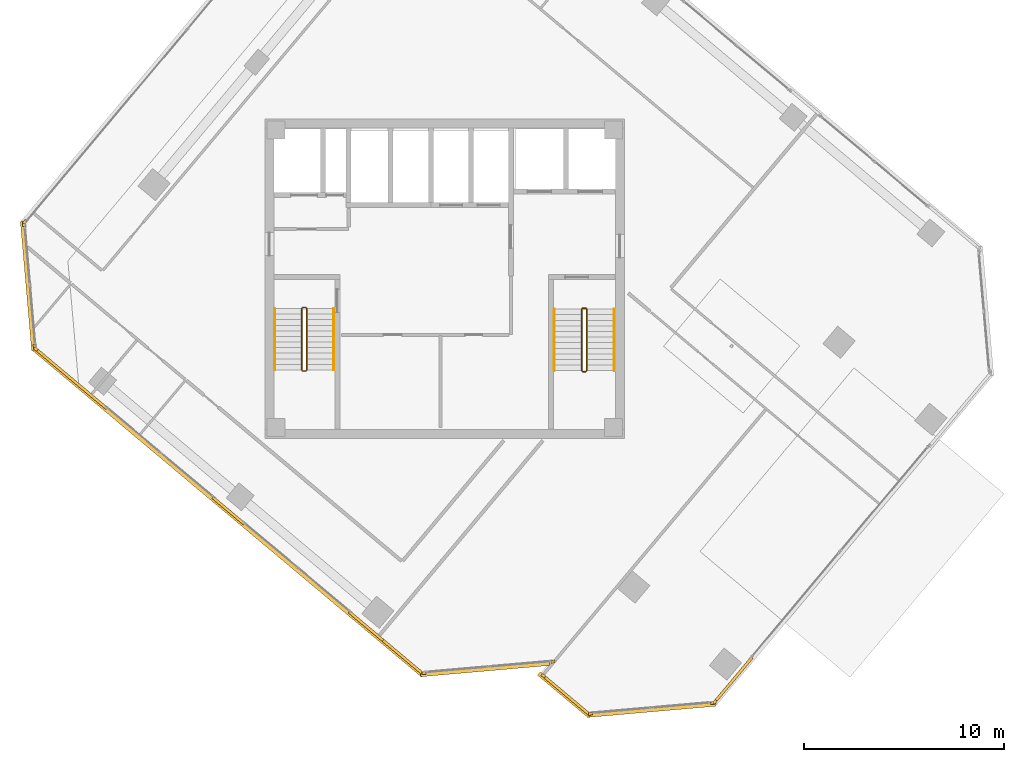
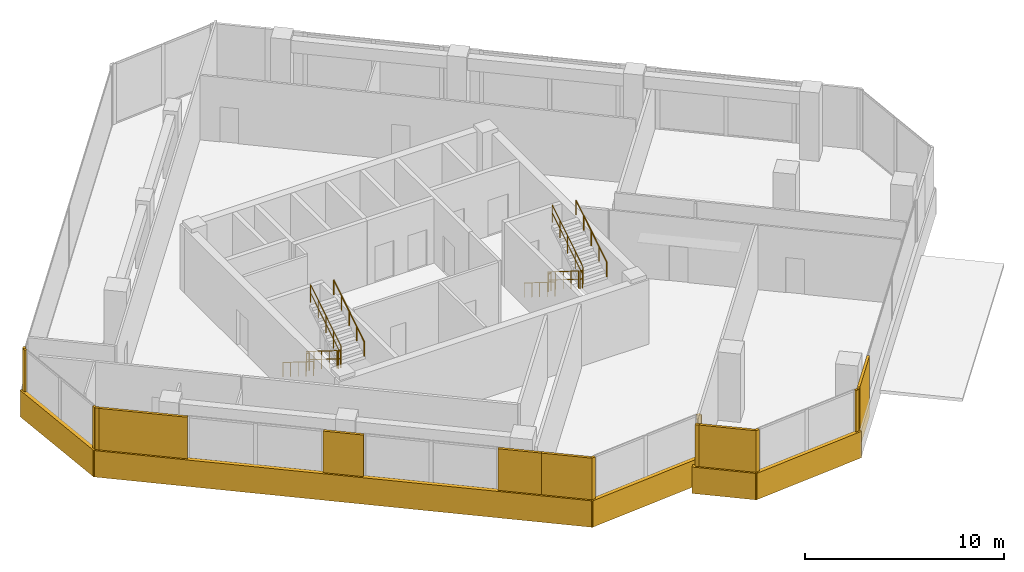
# One storey, part 15 of 17: 21 coverings, 12 railings.
"""IFC4 building model written with IfcOpenShell, lengths in metres."""

from ifc_helpers import new_model, si_unit, direction, frame, origin, origin_2d, place, context, subcontext, project, spatial, rectangle, circle, extrude, source, transform, mapped, material, layer, layer_set, type_object, element, save


model = new_model("IFC4")

# Units and contexts
model_context = context("Model", 3, precision=1e-05, world=origin(), true_north=direction((0.0, 1.0)))
body_context = subcontext(model_context, "Body", "Model", "MODEL_VIEW")
ifc_project = project(units=[si_unit("LENGTHUNIT", "METRE"), si_unit("AREAUNIT", "SQUARE_METRE"), si_unit("VOLUMEUNIT", "CUBIC_METRE"), si_unit("PLANEANGLEUNIT", "RADIAN"), si_unit("MASSUNIT", "GRAM", prefix="KILO")], contexts=[model_context])

# Site, building, storey
site_placement = place(None, origin())
site = spatial("IfcSite", under=ifc_project, at=site_placement, CompositionType="ELEMENT")
building_placement = place(site_placement, origin())
building = spatial("IfcBuilding", under=site, at=building_placement, Name="Torre Montelarca", CompositionType="ELEMENT")
storey_placement = place(building_placement, frame((0.0, 0.0, 220.60009765625)))
storey = spatial("IfcBuildingStorey", under=building, at=storey_placement, Name="L49", CompositionType="ELEMENT", Elevation=220.60009765625)

# Railings
ifc_material_1 = material(Name="Powder-coated steel ASTM A500 Grade C", Category="steel")
railing_type_1 = type_object("IfcRailingType", Name="RL-GUARD-1100", PredefinedType="BALUSTRADE", material=ifc_material_1)
railing_1_placement = place(storey_placement, frame((10.85009765625, 30.5, 0.1748046875)))
element("IfcRailing", 1, at=railing_1_placement, inside=storey, type_object=railing_type_1, Name="L49 ST1 stair guard 1", PredefinedType="BALUSTRADE", context=body_context, shape_type="SweptSolid", body=[
    extrude(circle(Radius=0.02392578125, at=origin_2d()), frame((0.0, 0.0, 1.076171875), z_axis=(0.0, -0.847998304005, 0.529998940003), x_axis=(1.0, 0.0, 0.0)), (0.0, 0.0, 1.0), 3.632080078125),
    extrude(circle(Radius=0.02099609375, at=origin_2d()), frame((0.0, 0.0, 0.572021484375), z_axis=(0.0, -0.847998304005, 0.529998940003), x_axis=(1.0, 0.0, 0.0)), (0.0, 0.0, 1.0), 3.632080078125),
    extrude(circle(Radius=0.02099609375, at=origin_2d()), origin(), (0.0, 0.0, 1.0), 1.052001953125),
    extrude(circle(Radius=0.02099609375, at=origin_2d()), frame((0.0, -0.77001953125, 0.481201171875)), (0.0, 0.0, 1.0), 1.052001953125),
    extrude(circle(Radius=0.02099609375, at=origin_2d()), frame((0.0, -1.5400390625, 0.96240234375)), (0.0, 0.0, 1.0), 1.052001953125),
    extrude(circle(Radius=0.02099609375, at=origin_2d()), frame((0.0, -2.31005859375, 1.44384765625)), (0.0, 0.0, 1.0), 1.052001953125),
    extrude(circle(Radius=0.02099609375, at=origin_2d()), frame((0.0, -3.080078125, 1.925048828125)), (0.0, 0.0, 1.0), 1.052001953125),
])
railing_2_placement = place(storey_placement, frame((10.89990234375, 27.3701171875, 2.099853515625)))
element("IfcRailing", 2, at=railing_2_placement, inside=storey, type_object=railing_type_1, Name="L49 ST1 stair guard 2", PredefinedType="BALUSTRADE", context=body_context, shape_type="SweptSolid", body=[
    extrude(circle(Radius=0.02392578125, at=origin_2d()), frame((0.0, 0.0, 1.076171875), z_axis=(1.0, 0.0, 0.0), x_axis=(0.0, 1.0, 0.0)), (0.0, 0.0, 1.0), 0.150146484375),
    extrude(circle(Radius=0.02099609375, at=origin_2d()), frame((0.0, 0.0, 0.572021484375), z_axis=(1.0, 0.0, 0.0), x_axis=(0.0, 1.0, 0.0)), (0.0, 0.0, 1.0), 0.150146484375),
    extrude(circle(Radius=0.02099609375, at=origin_2d()), origin(), (0.0, 0.0, 1.0), 1.052001953125),
    extrude(circle(Radius=0.02099609375, at=origin_2d()), frame((0.150146484375, 0.0, 0.0)), (0.0, 0.0, 1.0), 1.052001953125),
])
railing_3_placement = place(storey_placement, frame((11.10009765625, 27.419921875, 2.27490234375)))
element("IfcRailing", 3, at=railing_3_placement, inside=storey, type_object=railing_type_1, Name="L49 ST1 stair guard 3", PredefinedType="BALUSTRADE", context=body_context, shape_type="SweptSolid", body=[
    extrude(circle(Radius=0.02392578125, at=origin_2d()), frame((0.0, 0.0, 1.076171875), z_axis=(0.0, 0.847998304005, 0.529998940003), x_axis=(-1.0, 0.0, 0.0)), (0.0, 0.0, 1.0), 3.632080078125),
    extrude(circle(Radius=0.02099609375, at=origin_2d()), frame((0.0, 0.0, 0.572021484375), z_axis=(0.0, 0.847998304005, 0.529998940003), x_axis=(-1.0, 0.0, 0.0)), (0.0, 0.0, 1.0), 3.632080078125),
    extrude(circle(Radius=0.02099609375, at=origin_2d()), origin(), (0.0, 0.0, 1.0), 1.052001953125),
    extrude(circle(Radius=0.02099609375, at=origin_2d()), frame((0.0, 0.77001953125, 0.481201171875)), (0.0, 0.0, 1.0), 1.052001953125),
    extrude(circle(Radius=0.02099609375, at=origin_2d()), frame((0.0, 1.5400390625, 0.96240234375)), (0.0, 0.0, 1.0), 1.052001953125),
    extrude(circle(Radius=0.02099609375, at=origin_2d()), frame((0.0, 2.31005859375, 1.44384765625)), (0.0, 0.0, 1.0), 1.052001953125),
    extrude(circle(Radius=0.02099609375, at=origin_2d()), frame((0.0, 3.080078125, 1.925048828125)), (0.0, 0.0, 1.0), 1.052001953125),
])
railing_4_placement = place(storey_placement, frame((10.89990234375, 30.550048828125, 0.0)))
element("IfcRailing", 4, at=railing_4_placement, inside=storey, type_object=railing_type_1, Name="L49 ST1 stair guard 4", PredefinedType="BALUSTRADE", context=body_context, shape_type="SweptSolid", body=[
    extrude(circle(Radius=0.02392578125, at=origin_2d()), frame((0.0, 0.0, 1.076171875), z_axis=(1.0, 0.0, 0.0), x_axis=(0.0, 1.0, 0.0)), (0.0, 0.0, 1.0), 0.150146484375),
    extrude(circle(Radius=0.02099609375, at=origin_2d()), frame((0.0, 0.0, 0.572021484375), z_axis=(1.0, 0.0, 0.0), x_axis=(0.0, 1.0, 0.0)), (0.0, 0.0, 1.0), 0.150146484375),
    extrude(circle(Radius=0.02099609375, at=origin_2d()), origin(), (0.0, 0.0, 1.0), 1.052001953125),
    extrude(circle(Radius=0.02099609375, at=origin_2d()), frame((0.150146484375, 0.0, 0.0)), (0.0, 0.0, 1.0), 1.052001953125),
])
railing_5_placement = place(storey_placement, frame((24.8701171875, 30.469970703125, 0.1748046875)))
element("IfcRailing", 5, at=railing_5_placement, inside=storey, type_object=railing_type_1, Name="L49 ST2 stair guard 1", PredefinedType="BALUSTRADE", context=body_context, shape_type="SweptSolid", body=[
    extrude(circle(Radius=0.02392578125, at=origin_2d()), frame((0.0, 0.0, 1.076171875), z_axis=(0.0, -0.847998304005, 0.529998940003), x_axis=(1.0, 0.0, 0.0)), (0.0, 0.0, 1.0), 3.632080078125),
    extrude(circle(Radius=0.02099609375, at=origin_2d()), frame((0.0, 0.0, 0.572021484375), z_axis=(0.0, -0.847998304005, 0.529998940003), x_axis=(1.0, 0.0, 0.0)), (0.0, 0.0, 1.0), 3.632080078125),
    extrude(circle(Radius=0.02099609375, at=origin_2d()), origin(), (0.0, 0.0, 1.0), 1.052001953125),
    extrude(circle(Radius=0.02099609375, at=origin_2d()), frame((0.0, -0.77001953125, 0.481201171875)), (0.0, 0.0, 1.0), 1.052001953125),
    extrude(circle(Radius=0.02099609375, at=origin_2d()), frame((0.0, -1.5400390625, 0.96240234375)), (0.0, 0.0, 1.0), 1.052001953125),
    extrude(circle(Radius=0.02099609375, at=origin_2d()), frame((0.0, -2.31005859375, 1.44384765625)), (0.0, 0.0, 1.0), 1.052001953125),
    extrude(circle(Radius=0.02099609375, at=origin_2d()), frame((0.0, -3.080078125, 1.925048828125)), (0.0, 0.0, 1.0), 1.052001953125),
])
railing_6_placement = place(storey_placement, frame((24.919921875, 27.340087890625, 2.099853515625)))
element("IfcRailing", 6, at=railing_6_placement, inside=storey, type_object=railing_type_1, Name="L49 ST2 stair guard 2", PredefinedType="BALUSTRADE", context=body_context, shape_type="SweptSolid", body=[
    extrude(circle(Radius=0.02392578125, at=origin_2d()), frame((0.0, 0.0, 1.076171875), z_axis=(1.0, 0.0, 0.0), x_axis=(0.0, 1.0, 0.0)), (0.0, 0.0, 1.0), 0.150146484375),
    extrude(circle(Radius=0.02099609375, at=origin_2d()), frame((0.0, 0.0, 0.572021484375), z_axis=(1.0, 0.0, 0.0), x_axis=(0.0, 1.0, 0.0)), (0.0, 0.0, 1.0), 0.150146484375),
    extrude(circle(Radius=0.02099609375, at=origin_2d()), origin(), (0.0, 0.0, 1.0), 1.052001953125),
    extrude(circle(Radius=0.02099609375, at=origin_2d()), frame((0.150146484375, 0.0, 0.0)), (0.0, 0.0, 1.0), 1.052001953125),
])
railing_7_placement = place(storey_placement, frame((25.1201171875, 27.389892578125, 2.27490234375)))
element("IfcRailing", 7, at=railing_7_placement, inside=storey, type_object=railing_type_1, Name="L49 ST2 stair guard 3", PredefinedType="BALUSTRADE", context=body_context, shape_type="SweptSolid", body=[
    extrude(circle(Radius=0.02392578125, at=origin_2d()), frame((0.0, 0.0, 1.076171875), z_axis=(0.0, 0.847998304005, 0.529998940003), x_axis=(-1.0, 0.0, 0.0)), (0.0, 0.0, 1.0), 3.632080078125),
    extrude(circle(Radius=0.02099609375, at=origin_2d()), frame((0.0, 0.0, 0.572021484375), z_axis=(0.0, 0.847998304005, 0.529998940003), x_axis=(-1.0, 0.0, 0.0)), (0.0, 0.0, 1.0), 3.632080078125),
    extrude(circle(Radius=0.02099609375, at=origin_2d()), origin(), (0.0, 0.0, 1.0), 1.052001953125),
    extrude(circle(Radius=0.02099609375, at=origin_2d()), frame((0.0, 0.77001953125, 0.481201171875)), (0.0, 0.0, 1.0), 1.052001953125),
    extrude(circle(Radius=0.02099609375, at=origin_2d()), frame((0.0, 1.5400390625, 0.96240234375)), (0.0, 0.0, 1.0), 1.052001953125),
    extrude(circle(Radius=0.02099609375, at=origin_2d()), frame((0.0, 2.31005859375, 1.44384765625)), (0.0, 0.0, 1.0), 1.052001953125),
    extrude(circle(Radius=0.02099609375, at=origin_2d()), frame((0.0, 3.080078125, 1.925048828125)), (0.0, 0.0, 1.0), 1.052001953125),
])
railing_8_placement = place(storey_placement, frame((24.919921875, 30.52001953125, 0.0)))
element("IfcRailing", 8, at=railing_8_placement, inside=storey, type_object=railing_type_1, Name="L49 ST2 stair guard 4", PredefinedType="BALUSTRADE", context=body_context, shape_type="SweptSolid", body=[
    extrude(circle(Radius=0.02392578125, at=origin_2d()), frame((0.0, 0.0, 1.076171875), z_axis=(1.0, 0.0, 0.0), x_axis=(0.0, 1.0, 0.0)), (0.0, 0.0, 1.0), 0.150146484375),
    extrude(circle(Radius=0.02099609375, at=origin_2d()), frame((0.0, 0.0, 0.572021484375), z_axis=(1.0, 0.0, 0.0), x_axis=(0.0, 1.0, 0.0)), (0.0, 0.0, 1.0), 0.150146484375),
    extrude(circle(Radius=0.02099609375, at=origin_2d()), origin(), (0.0, 0.0, 1.0), 1.052001953125),
    extrude(circle(Radius=0.02099609375, at=origin_2d()), frame((0.150146484375, 0.0, 0.0)), (0.0, 0.0, 1.0), 1.052001953125),
])
ifc_material_2 = material(Name="Brushed stainless steel AISI 316", Category="steel")
railing_type_2 = type_object("IfcRailingType", Name="RL-HANDRAIL-900", PredefinedType="HANDRAIL", material=ifc_material_2)
railing_9_placement = place(storey_placement, frame((9.5, 30.5, 0.1748046875)))
element("IfcRailing", 9, at=railing_9_placement, inside=storey, type_object=railing_type_2, Name="L49 ST1 stair handrail 1", PredefinedType="HANDRAIL", context=body_context, shape_type="SweptSolid", body=[
    extrude(circle(Radius=0.02392578125, at=origin_2d()), frame((0.0, 0.0, 0.8759765625), z_axis=(0.0, -0.847998304005, 0.529998940003), x_axis=(1.0, 0.0, 0.0)), (0.0, 0.0, 1.0), 3.632080078125),
    extrude(circle(Radius=0.02099609375, at=origin_2d()), origin(), (0.0, 0.0, 1.0), 0.851806640625),
    extrude(circle(Radius=0.02099609375, at=origin_2d()), frame((0.0, -0.77001953125, 0.481201171875)), (0.0, 0.0, 1.0), 0.851806640625),
    extrude(circle(Radius=0.02099609375, at=origin_2d()), frame((0.0, -1.5400390625, 0.96240234375)), (0.0, 0.0, 1.0), 0.851806640625),
    extrude(circle(Radius=0.02099609375, at=origin_2d()), frame((0.0, -2.31005859375, 1.44384765625)), (0.0, 0.0, 1.0), 0.851806640625),
    extrude(circle(Radius=0.02099609375, at=origin_2d()), frame((0.0, -3.080078125, 1.925048828125)), (0.0, 0.0, 1.0), 0.851806640625),
])
railing_10_placement = place(storey_placement, frame((12.449951171875, 27.419921875, 2.27490234375)))
element("IfcRailing", 10, at=railing_10_placement, inside=storey, type_object=railing_type_2, Name="L49 ST1 stair handrail 2", PredefinedType="HANDRAIL", context=body_context, shape_type="SweptSolid", body=[
    extrude(circle(Radius=0.02392578125, at=origin_2d()), frame((0.0, 0.0, 0.8759765625), z_axis=(0.0, 0.847998304005, 0.529998940003), x_axis=(-1.0, 0.0, 0.0)), (0.0, 0.0, 1.0), 3.632080078125),
    extrude(circle(Radius=0.02099609375, at=origin_2d()), origin(), (0.0, 0.0, 1.0), 0.851806640625),
    extrude(circle(Radius=0.02099609375, at=origin_2d()), frame((0.0, 0.77001953125, 0.481201171875)), (0.0, 0.0, 1.0), 0.851806640625),
    extrude(circle(Radius=0.02099609375, at=origin_2d()), frame((0.0, 1.5400390625, 0.96240234375)), (0.0, 0.0, 1.0), 0.851806640625),
    extrude(circle(Radius=0.02099609375, at=origin_2d()), frame((0.0, 2.31005859375, 1.44384765625)), (0.0, 0.0, 1.0), 0.851806640625),
    extrude(circle(Radius=0.02099609375, at=origin_2d()), frame((0.0, 3.080078125, 1.925048828125)), (0.0, 0.0, 1.0), 0.851806640625),
])
railing_11_placement = place(storey_placement, frame((23.489990234375, 30.469970703125, 0.1748046875)))
element("IfcRailing", 11, at=railing_11_placement, inside=storey, type_object=railing_type_2, Name="L49 ST2 stair handrail 1", PredefinedType="HANDRAIL", context=body_context, shape_type="SweptSolid", body=[
    extrude(circle(Radius=0.02392578125, at=origin_2d()), frame((0.0, 0.0, 0.8759765625), z_axis=(0.0, -0.847998304005, 0.529998940003), x_axis=(1.0, 0.0, 0.0)), (0.0, 0.0, 1.0), 3.632080078125),
    extrude(circle(Radius=0.02099609375, at=origin_2d()), origin(), (0.0, 0.0, 1.0), 0.851806640625),
    extrude(circle(Radius=0.02099609375, at=origin_2d()), frame((0.0, -0.77001953125, 0.481201171875)), (0.0, 0.0, 1.0), 0.851806640625),
    extrude(circle(Radius=0.02099609375, at=origin_2d()), frame((0.0, -1.5400390625, 0.96240234375)), (0.0, 0.0, 1.0), 0.851806640625),
    extrude(circle(Radius=0.02099609375, at=origin_2d()), frame((0.0, -2.31005859375, 1.44384765625)), (0.0, 0.0, 1.0), 0.851806640625),
    extrude(circle(Radius=0.02099609375, at=origin_2d()), frame((0.0, -3.080078125, 1.925048828125)), (0.0, 0.0, 1.0), 0.851806640625),
])
railing_12_placement = place(storey_placement, frame((26.5, 27.389892578125, 2.27490234375)))
element("IfcRailing", 12, at=railing_12_placement, inside=storey, type_object=railing_type_2, Name="L49 ST2 stair handrail 2", PredefinedType="HANDRAIL", context=body_context, shape_type="SweptSolid", body=[
    extrude(circle(Radius=0.02392578125, at=origin_2d()), frame((0.0, 0.0, 0.8759765625), z_axis=(0.0, 0.847998304005, 0.529998940003), x_axis=(-1.0, 0.0, 0.0)), (0.0, 0.0, 1.0), 3.632080078125),
    extrude(circle(Radius=0.02099609375, at=origin_2d()), origin(), (0.0, 0.0, 1.0), 0.851806640625),
    extrude(circle(Radius=0.02099609375, at=origin_2d()), frame((0.0, 0.77001953125, 0.481201171875)), (0.0, 0.0, 1.0), 0.851806640625),
    extrude(circle(Radius=0.02099609375, at=origin_2d()), frame((0.0, 1.5400390625, 0.96240234375)), (0.0, 0.0, 1.0), 0.851806640625),
    extrude(circle(Radius=0.02099609375, at=origin_2d()), frame((0.0, 2.31005859375, 1.44384765625)), (0.0, 0.0, 1.0), 0.851806640625),
    extrude(circle(Radius=0.02099609375, at=origin_2d()), frame((0.0, 3.080078125, 1.925048828125)), (0.0, 0.0, 1.0), 0.851806640625),
])

# Coverings
ifc_material_3 = material(Name="Bush-hammered warm white precast concrete C45/55", Category="concrete")
ifc_layer = layer(ifc_material_3, 0.139892578125, Name="Bush-hammered warm white precast concrete C45/55", Category="concrete")
ifc_layer_set = layer_set([ifc_layer], Name="Bush-hammered warm white precast concrete C45/55")
covering_type = type_object("IfcCoveringType", Name="COV-TRAY-CLAD", PredefinedType="CLADDING", material=ifc_layer_set)
shared_shape_1 = source(origin(), body_context, "Body", "SweptSolid", [
    extrude(rectangle(XDim=6.48388671875, YDim=0.219970703125, at=origin_2d()), origin(), (0.0, 0.0, 1.0), 1.6201171875),
])
for number, where, z_axis, x_axis, name in (
    (13, (20.01611328125, 12.451416015625, -0.4501953125), (0.0, 0.0, 1.0), (0.996194089606, 0.087162697497, 0.0), "L49 Architectural White Spandrel Tray Band TRYBOT-02"),
    (14, (28.357421875, 10.4130859375, -0.4501953125), (0.0, 0.0, 1.0), (0.996194089606, 0.087162697497, 0.0), "L49 Architectural White Spandrel Tray Band TRYBOT-05"),
    (15, (-2.856201171875, 31.643798828125, -0.4501953125), (0.0, 0.0, 1.0), (0.087147049306, -0.996195458631, 0.0), "L49 Architectural White Spandrel Tray Band TRYBOT-11"),
):
    element("IfcCovering", number, at=place(storey_placement, frame(where, z_axis=z_axis, x_axis=x_axis)), inside=storey, type_object=covering_type, Name=name, PredefinedType="CLADDING", context=body_context, shape_type="MappedRepresentation", body=[
        mapped(shared_shape_1, transform((0.0, 0.0, 0.0), scale=1.0)),
    ])
shared_shape_2 = source(origin(), body_context, "Body", "SweptSolid", [
    extrude(rectangle(XDim=25.52001953125, YDim=0.219970703125, at=origin_2d()), origin(), (0.0, 0.0, 1.0), 1.6201171875),
])
covering_1_placement = place(storey_placement, frame((7.139404296875, 20.330810546875, -0.4501953125), z_axis=(0.0, 0.0, 1.0), x_axis=(0.766043321242, -0.642788946685, 0.0)))
element("IfcCovering", 16, at=covering_1_placement, inside=storey, type_object=covering_type, Name="L49 Architectural White Spandrel Tray Band TRYBOT-01", PredefinedType="CLADDING", context=body_context, shape_type="MappedRepresentation", body=[
    mapped(shared_shape_2, transform((0.0, 0.0, 0.0), scale=1.0)),
])
shared_shape_3 = source(origin(), body_context, "Body", "SweptSolid", [
    extrude(rectangle(XDim=0.199951171875, YDim=0.139892578125, at=origin_2d()), origin(), (0.0, 0.0, 1.0), 3.719970703125),
])
for number, where, z_axis, x_axis, name in (
    (17, (-2.462158203125, 28.4658203125, 0.0), (0.0, 0.0, 1.0), (0.766042199362, -0.642790283682, 0.0), "L49 Architectural Column Pier Cladding E01-1"),
    (18, (16.95654296875, 12.243896484375, 0.0), (0.0, 0.0, 1.0), (0.996192263856, 0.087183561718, 0.0), "L49 Architectural Column Pier Cladding E02-1"),
    (19, (23.431640625, 12.810791015625, 0.0), (0.0, 0.0, 1.0), (0.996192263856, 0.087183561718, 0.0), "L49 Architectural Column Pier Cladding E02-2"),
    (20, (22.943603515625, 12.1083984375, 0.0), (0.0, 0.0, 1.0), (0.766027614716, -0.642807664463, 0.0), "L49 Architectural Column Pier Cladding E04-1"),
    (21, (25.297607421875, 10.20556640625, 0.0), (0.0, 0.0, 1.0), (0.996192872488, 0.087176606982, 0.0), "L49 Architectural Column Pier Cladding E05-1"),
    (22, (31.406494140625, 10.739990234375, 0.0), (0.0, 0.0, 1.0), (0.996192872488, 0.087176606982, 0.0), "L49 Architectural Column Pier Cladding E05-2"),
    (23, (31.535400390625, 10.80712890625, 0.0), (0.0, 0.0, 1.0), (0.642787609687, 0.766044443119, 0.0), "L49 Architectural Column Pier Cladding E06-1"),
    (24, (-3.02001953125, 34.841796875, 0.0), (0.0, 0.0, 1.0), (-0.642788946685, -0.766043321242, 0.0), "L49 Architectural Column Pier Cladding E10-2"),
    (25, (-3.063720703125, 34.703369140625, 0.0), (0.0, 0.0, 1.0), (0.08716095881, -0.996194241732, 0.0), "L49 Architectural Column Pier Cladding E11-1"),
    (26, (-2.529052734375, 28.594482421875, 0.0), (0.0, 0.0, 1.0), (0.08716095881, -0.996194241732, 0.0), "L49 Architectural Column Pier Cladding E11-2"),
):
    element("IfcCovering", number, at=place(storey_placement, frame(where, z_axis=z_axis, x_axis=x_axis)), inside=storey, type_object=covering_type, Name=name, PredefinedType="CLADDING", context=body_context, shape_type="MappedRepresentation", body=[
        mapped(shared_shape_3, transform((0.0, 0.0, 0.0), scale=1.0)),
    ])
shared_shape_4 = source(origin(), body_context, "Body", "SweptSolid", [
    extrude(rectangle(XDim=2.2099609375, YDim=0.139892578125, at=origin_2d()), origin(), (0.0, 0.0, 1.0), 3.719970703125),
])
covering_2_placement = place(storey_placement, frame((14.072265625, 14.591552734375, 0.0), z_axis=(0.0, 0.0, 1.0), x_axis=(0.766042199362, -0.642790283682, 0.0)))
element("IfcCovering", 27, at=covering_2_placement, inside=storey, type_object=covering_type, Name="L49 Architectural Column Pier Cladding E01-4", PredefinedType="CLADDING", context=body_context, shape_type="MappedRepresentation", body=[
    mapped(shared_shape_4, transform((0.0, 0.0, 0.0), scale=1.0)),
])
shared_shape_5 = source(origin(), body_context, "Body", "SweptSolid", [
    extrude(rectangle(XDim=2.67919921875, YDim=0.139892578125, at=origin_2d()), origin(), (0.0, 0.0, 1.0), 3.719970703125),
])
covering_3_placement = place(storey_placement, frame((15.868408203125, 13.08447265625, 0.0), z_axis=(0.0, 0.0, 1.0), x_axis=(0.766042199362, -0.642790283682, 0.0)))
element("IfcCovering", 28, at=covering_3_placement, inside=storey, type_object=covering_type, Name="L49 Architectural Column Pier Cladding E01-5", PredefinedType="CLADDING", context=body_context, shape_type="MappedRepresentation", body=[
    mapped(shared_shape_5, transform((0.0, 0.0, 0.0), scale=1.0)),
])
shared_shape_6 = source(origin(), body_context, "Body", "SweptSolid", [
    extrude(rectangle(XDim=2.06005859375, YDim=0.139892578125, at=origin_2d()), origin(), (0.0, 0.0, 1.0), 3.719970703125),
])
covering_4_placement = place(storey_placement, frame((7.177978515625, 20.376708984375, 0.0), z_axis=(0.0, 0.0, 1.0), x_axis=(0.766042199362, -0.642790283682, 0.0)))
element("IfcCovering", 29, at=covering_4_placement, inside=storey, type_object=covering_type, Name="L49 Architectural Column Pier Cladding E01-3", PredefinedType="CLADDING", context=body_context, shape_type="MappedRepresentation", body=[
    mapped(shared_shape_6, transform((0.0, 0.0, 0.0), scale=1.0)),
])
shared_shape_7 = source(origin(), body_context, "Body", "SweptSolid", [
    extrude(rectangle(XDim=4.6142578125, YDim=0.139892578125, at=origin_2d()), origin(), (0.0, 0.0, 1.0), 3.719970703125),
])
covering_5_placement = place(storey_placement, frame((-0.69482421875, 26.982666015625, 0.0), z_axis=(0.0, 0.0, 1.0), x_axis=(0.766042199362, -0.642790283682, 0.0)))
element("IfcCovering", 30, at=covering_5_placement, inside=storey, type_object=covering_type, Name="L49 Architectural Column Pier Cladding E01-2", PredefinedType="CLADDING", context=body_context, shape_type="MappedRepresentation", body=[
    mapped(shared_shape_7, transform((0.0, 0.0, 0.0), scale=1.0)),
])
shared_shape_8 = source(origin(), body_context, "Body", "SweptSolid", [
    extrude(rectangle(XDim=3.320068359375, YDim=0.219970703125, at=origin_2d()), origin(), (0.0, 0.0, 1.0), 1.6201171875),
])
covering_6_placement = place(storey_placement, frame((23.983642578125, 11.1572265625, -0.4501953125), z_axis=(0.0, 0.0, 1.0), x_axis=(0.766026492804, -0.642809001432, 0.0)))
element("IfcCovering", 31, at=covering_6_placement, inside=storey, type_object=covering_type, Name="L49 Architectural White Spandrel Tray Band TRYBOT-04", PredefinedType="CLADDING", context=body_context, shape_type="MappedRepresentation", body=[
    mapped(shared_shape_8, transform((0.0, 0.0, 0.0), scale=1.0)),
])
shared_shape_9 = source(origin(), body_context, "Body", "SweptSolid", [
    extrude(rectangle(XDim=2.9921875, YDim=0.139892578125, at=origin_2d()), origin(), (0.0, 0.0, 1.0), 3.719970703125),
])
covering_7_placement = place(storey_placement, frame((24.089599609375, 11.146484375, 0.0), z_axis=(0.0, 0.0, 1.0), x_axis=(0.766027614716, -0.642807664463, 0.0)))
element("IfcCovering", 32, at=covering_7_placement, inside=storey, type_object=covering_type, Name="L49 Architectural Column Pier Cladding E04-2", PredefinedType="CLADDING", context=body_context, shape_type="MappedRepresentation", body=[
    mapped(shared_shape_9, transform((0.0, 0.0, 0.0), scale=1.0)),
])
shared_shape_10 = source(origin(), body_context, "Body", "SweptSolid", [
    extrude(rectangle(XDim=2.88916015625, YDim=0.139892578125, at=origin_2d()), origin(), (0.0, 0.0, 1.0), 3.719970703125),
])
covering_8_placement = place(storey_placement, frame((32.4638671875, 11.913818359375, 0.0), z_axis=(0.0, 0.0, 1.0), x_axis=(0.642787609687, 0.766044443119, 0.0)))
element("IfcCovering", 33, at=covering_8_placement, inside=storey, type_object=covering_type, Name="L49 Architectural Column Pier Cladding E06-2", PredefinedType="CLADDING", context=body_context, shape_type="MappedRepresentation", body=[
    mapped(shared_shape_10, transform((0.0, 0.0, 0.0), scale=1.0)),
])

save(model, "model.ifc")
